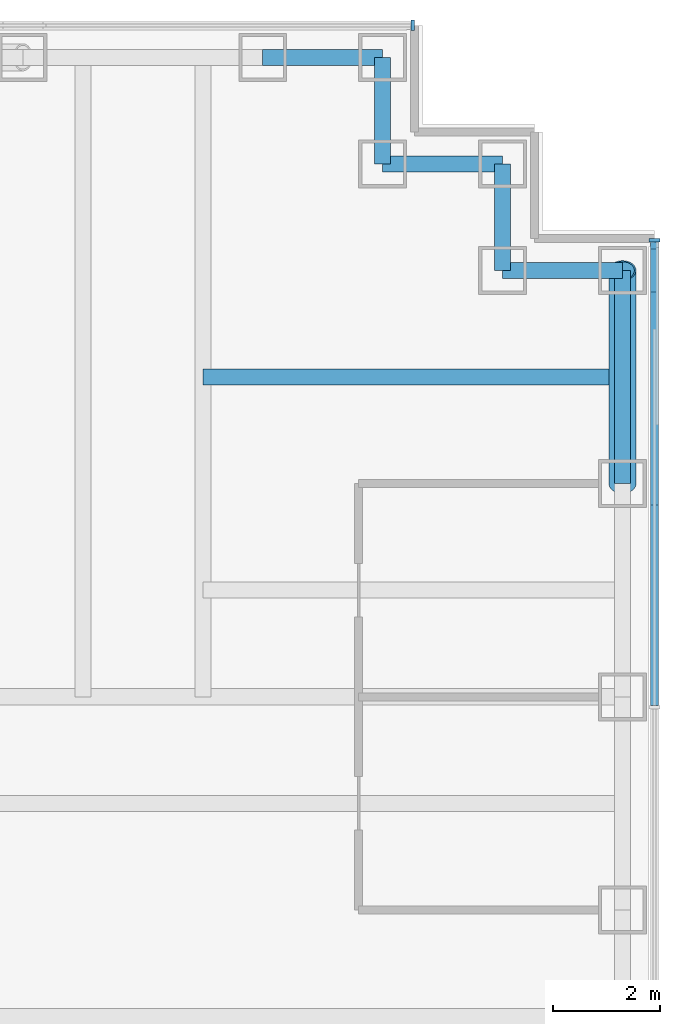
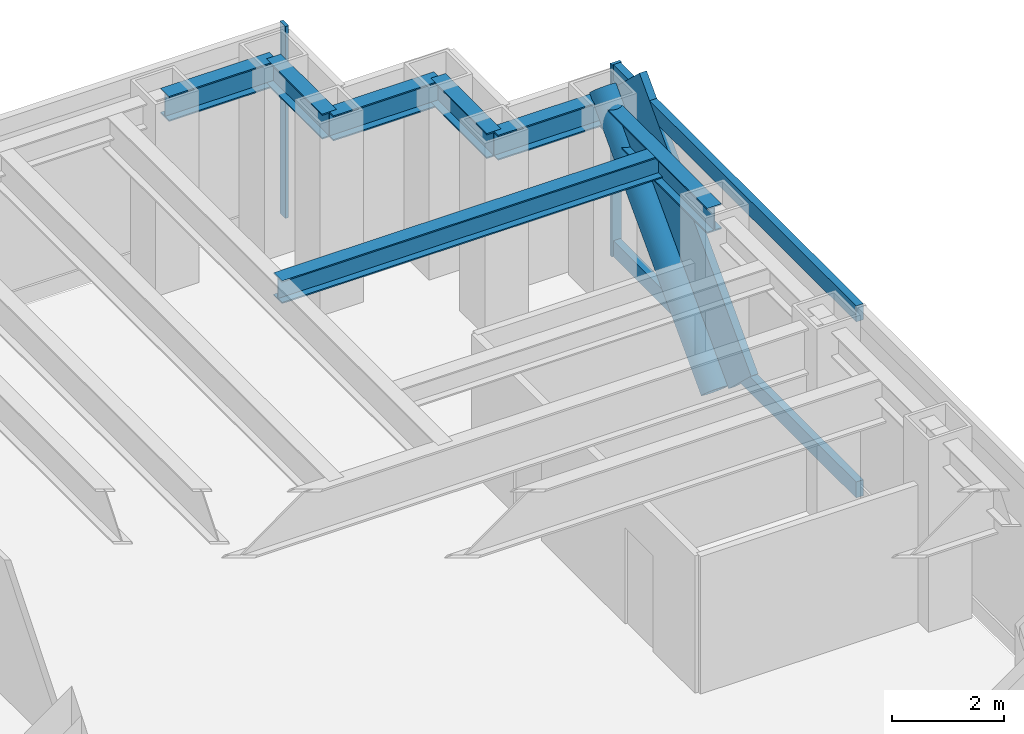
# One storey, part 9 of 15: 7 beams, 6 members, 2 elements without a shape of their own.
"""IFC4 building model written with IfcOpenShell, lengths in metres."""

from ifc_helpers import new_model, si_unit, direction, frame, origin, origin_2d, place, context, subcontext, project, spatial, rectangle, hollow_circle, i_section, extrude, material, material_profile, profile_set, type_object, element, aggregate, save


model = new_model("IFC4")

# Units and contexts
model_context = context("Model", 3, precision=1e-05, world=origin(), true_north=direction((0.0, 1.0)))
body_context = subcontext(model_context, "Body", "Model", "MODEL_VIEW")
ifc_project = project(units=[si_unit("LENGTHUNIT", "METRE"), si_unit("AREAUNIT", "SQUARE_METRE"), si_unit("VOLUMEUNIT", "CUBIC_METRE"), si_unit("PLANEANGLEUNIT", "RADIAN"), si_unit("MASSUNIT", "GRAM", prefix="KILO")], contexts=[model_context])

# Site, building, storey
site_placement = place(None, origin())
site = spatial("IfcSite", under=ifc_project, at=site_placement, CompositionType="ELEMENT")
building_placement = place(site_placement, origin())
building = spatial("IfcBuilding", under=site, at=building_placement, Name="Rheinbord Bourse Tower", CompositionType="ELEMENT")
storey_placement = place(building_placement, frame((0.0, 0.0, 292.10009765625)))
storey = spatial("IfcBuildingStorey", under=building, at=storey_placement, Name="L66", CompositionType="ELEMENT", Elevation=292.10009765625)

# Curtain wall, members
ifc_material_1 = material(Name="Dark glass and black aluminium", Category="aluminium")
curtain_wall_type = type_object("IfcCurtainWallType", Name="CW3 DARK GLASS CURTAIN WALL", PredefinedType="USERDEFINED", material=ifc_material_1)
curtain_wall_1_placement = place(storey_placement, origin())
curtain_wall_1 = element("IfcCurtainWall", 1, at=curtain_wall_1_placement, inside=storey, type_object=curtain_wall_type, Name="Curtain wall CW3 E L66", ObjectType="UNITISED CURTAIN WALL", PredefinedType="USERDEFINED")
ifc_material_2 = material(Name="Black anodised aluminium", Category="aluminium")
ifc_material_profile_1 = material_profile(ifc_material_2, rectangle(XDim=0.14990234375, YDim=1.10791015625, at=origin_2d()), Name="CW3 DIAGONAL MULLION 1108x150")
ifc_profile_set_1 = profile_set([ifc_material_profile_1], Name="Black anodised aluminium")
member_type_1 = type_object("IfcMemberType", Name="CW3 BLACK DIAGONAL MULLION", PredefinedType="USERDEFINED", material=ifc_profile_set_1)
member_1_placement = place(storey_placement, frame((70.35009765625, 36.0, 0.0), z_axis=(0.0, 0.689659376744, 0.724133926887), x_axis=(-1.0, 0.0, 0.0)))
member_1 = element("IfcMember", 2, at=member_1_placement, type_object=member_type_1, Name="CW3 diagonal mullion d", ObjectType="DIAGONAL MULLION", PredefinedType="USERDEFINED", context=body_context, shape_type="SweptSolid", body=[
    extrude(rectangle(XDim=0.14990234375, YDim=1.10791015625, at=origin_2d()), origin(), (0.0, 0.0, 1.0), 5.800048828125),
])
ifc_material_3 = material(Name="Black anodised aluminium", Category="aluminium")
ifc_material_profile_2 = material_profile(ifc_material_3, rectangle(XDim=0.199951171875, YDim=0.06494140625, at=origin_2d()), Name="CW3 MULLION 65x200")
ifc_profile_set_2 = profile_set([ifc_material_profile_2], Name="Black anodised aluminium")
member_type_2 = type_object("IfcMemberType", Name="CW3 BLACK MULLION", PredefinedType="MULLION", material=ifc_profile_set_2)
member_2_placement = place(storey_placement, frame((70.35009765625, 40.5673828125, 0.0), z_axis=(0.0, 0.0, 1.0), x_axis=(-1.0, 0.0, 0.0)))
member_2 = element("IfcMember", 3, at=member_2_placement, type_object=member_type_2, Name="CW3 mullion 5", PredefinedType="MULLION", context=body_context, shape_type="SweptSolid", body=[
    extrude(rectangle(XDim=0.199951171875, YDim=0.06494140625, at=origin_2d()), origin(), (0.0, 0.0, 1.0), 4.199951171875),
])

# Curtain wall, member
curtain_wall_2_placement = place(storey_placement, origin())
curtain_wall_2 = element("IfcCurtainWall", 4, at=curtain_wall_2_placement, inside=storey, type_object=curtain_wall_type, Name="Curtain wall CW3 N L66", ObjectType="UNITISED CURTAIN WALL", PredefinedType="USERDEFINED")
member_3_placement = place(storey_placement, frame((65.8173828125, 44.60009765625, 0.0), z_axis=(0.0, 0.0, 1.0), x_axis=(0.0, -1.0, 0.0)))
member_3 = element("IfcMember", 5, at=member_3_placement, type_object=member_type_2, Name="CW3 mullion 1", PredefinedType="MULLION", context=body_context, shape_type="SweptSolid", body=[
    extrude(rectangle(XDim=0.199951171875, YDim=0.06494140625, at=origin_2d()), origin(), (0.0, 0.0, 1.0), 4.199951171875),
])
aggregate(curtain_wall_2, [member_3])

# Member
ifc_material_4 = material(Name="Black anodised aluminium", Category="aluminium")
ifc_material_profile_3 = material_profile(ifc_material_4, rectangle(XDim=0.14990234375, YDim=0.35009765625, at=origin_2d()), Name="CW3 TRANSOM 350x150")
ifc_profile_set_3 = profile_set([ifc_material_profile_3], Name="Black anodised aluminium")
member_type_3 = type_object("IfcMemberType", Name="CW3 BLACK TRANSOM", PredefinedType="USERDEFINED", material=ifc_profile_set_3)
member_4_placement = place(storey_placement, frame((70.35009765625, 31.83251953125, 0.1748046875), z_axis=(0.0, 1.0, 0.0), x_axis=(-1.0, 0.0, 0.0)))
member_4 = element("IfcMember", 6, at=member_4_placement, type_object=member_type_3, Name="CW3 transom 4.1", ObjectType="TRANSOM", PredefinedType="USERDEFINED", context=body_context, shape_type="SweptSolid", body=[
    extrude(rectangle(XDim=0.14990234375, YDim=0.35009765625, at=origin_2d()), origin(), (0.0, 0.0, 1.0), 8.702392578125),
])

member_5_placement = place(storey_placement, frame((70.35009765625, 31.83251953125, 4.02490234375), z_axis=(0.0, 1.0, 0.0), x_axis=(-1.0, 0.0, 0.0)))
member_5 = element("IfcMember", 7, at=member_5_placement, type_object=member_type_3, Name="CW3 transom 4.2", ObjectType="TRANSOM", PredefinedType="USERDEFINED", context=body_context, shape_type="SweptSolid", body=[
    extrude(rectangle(XDim=0.14990234375, YDim=0.35009765625, at=origin_2d()), origin(), (0.0, 0.0, 1.0), 8.702392578125),
])

aggregate(curtain_wall_1, [member_2, member_4, member_5, member_1])

ifc_material_5 = material(Name="Steel S460", Category="steel")
ifc_material_profile_4 = material_profile(ifc_material_5, hollow_circle(Radius=0.25390625, WallThickness=0.030029296875, at=origin_2d()), Name="CHS 508x30")
ifc_profile_set_4 = profile_set([ifc_material_profile_4], Name="Steel S460")
member_type_4 = type_object("IfcMemberType", Name="MEGABRACE CHS 508x30", PredefinedType="BRACE", material=ifc_profile_set_4)
member_6_placement = place(storey_placement, frame((69.75, 36.0, 0.0), z_axis=(0.0, 0.689659376744, 0.724133926887), x_axis=(-1.0, 0.0, 0.0)))
element("IfcMember", 8, at=member_6_placement, inside=storey, type_object=member_type_4, Name="Megabrace E face line d L66", PredefinedType="BRACE", context=body_context, shape_type="SweptSolid", body=[
    extrude(hollow_circle(Radius=0.25390625, WallThickness=0.030029296875, at=origin_2d()), origin(), (0.0, 0.0, 1.0), 5.800048828125),
])

# Beams
ifc_material_6 = material(Name="Steel S460", Category="steel")
ifc_material_profile_5 = material_profile(ifc_material_6, i_section(OverallWidth=0.300048828125, OverallDepth=0.550048828125, WebThickness=0.014892578125, FlangeThickness=0.029052734375, at=origin_2d()), Name="HEB 550")
ifc_profile_set_5 = profile_set([ifc_material_profile_5], Name="Steel S460")
beam_type_1 = type_object("IfcBeamType", Name="SPANDREL HEB 550", PredefinedType="SPANDREL", material=ifc_profile_set_5)
beam_1_placement = place(storey_placement, frame((69.75, 36.0, 3.764892578125), z_axis=(0.0, 1.0, 0.0), x_axis=(-1.0, 0.0, 0.0)))
element("IfcBeam", 9, at=beam_1_placement, inside=storey, type_object=beam_type_1, Name="Spandrel E-36-NE-A under L67", PredefinedType="SPANDREL", context=body_context, shape_type="SweptSolid", body=[
    extrude(i_section(OverallWidth=0.300048828125, OverallDepth=0.550048828125, WebThickness=0.014892578125, FlangeThickness=0.029052734375, at=origin_2d()), origin(), (0.0, 0.0, 1.0), 4.0),
])
beam_2_placement = place(storey_placement, frame((69.75, 40.0, 3.764892578125), z_axis=(-1.0, 0.0, 0.0), x_axis=(0.0, -1.0, 0.0)))
element("IfcBeam", 10, at=beam_2_placement, inside=storey, type_object=beam_type_1, Name="Spandrel NE-A-NE-B under L67", PredefinedType="SPANDREL", context=body_context, shape_type="SweptSolid", body=[
    extrude(i_section(OverallWidth=0.300048828125, OverallDepth=0.550048828125, WebThickness=0.014892578125, FlangeThickness=0.029052734375, at=origin_2d()), origin(), (0.0, 0.0, 1.0), 2.25),
])
beam_3_placement = place(storey_placement, frame((67.5, 40.0, 3.764892578125), z_axis=(0.0, 1.0, 0.0), x_axis=(-1.0, 0.0, 0.0)))
element("IfcBeam", 11, at=beam_3_placement, inside=storey, type_object=beam_type_1, Name="Spandrel NE-B-NE-C under L67", PredefinedType="SPANDREL", context=body_context, shape_type="SweptSolid", body=[
    extrude(i_section(OverallWidth=0.300048828125, OverallDepth=0.550048828125, WebThickness=0.014892578125, FlangeThickness=0.029052734375, at=origin_2d()), origin(), (0.0, 0.0, 1.0), 2.0),
])
beam_4_placement = place(storey_placement, frame((67.5, 42.0, 3.764892578125), z_axis=(-1.0, 0.0, 0.0), x_axis=(0.0, -1.0, 0.0)))
element("IfcBeam", 12, at=beam_4_placement, inside=storey, type_object=beam_type_1, Name="Spandrel NE-C-NE-D under L67", PredefinedType="SPANDREL", context=body_context, shape_type="SweptSolid", body=[
    extrude(i_section(OverallWidth=0.300048828125, OverallDepth=0.550048828125, WebThickness=0.014892578125, FlangeThickness=0.029052734375, at=origin_2d()), origin(), (0.0, 0.0, 1.0), 2.25),
])
beam_5_placement = place(storey_placement, frame((65.25, 42.0, 3.764892578125), z_axis=(0.0, 1.0, 0.0), x_axis=(-1.0, 0.0, 0.0)))
element("IfcBeam", 13, at=beam_5_placement, inside=storey, type_object=beam_type_1, Name="Spandrel NE-D-NE-E under L67", PredefinedType="SPANDREL", context=body_context, shape_type="SweptSolid", body=[
    extrude(i_section(OverallWidth=0.300048828125, OverallDepth=0.550048828125, WebThickness=0.014892578125, FlangeThickness=0.029052734375, at=origin_2d()), origin(), (0.0, 0.0, 1.0), 2.0),
])
beam_6_placement = place(storey_placement, frame((65.25, 44.0, 3.764892578125), z_axis=(-1.0, 0.0, 0.0), x_axis=(0.0, -1.0, 0.0)))
element("IfcBeam", 14, at=beam_6_placement, inside=storey, type_object=beam_type_1, Name="Spandrel NE-E-N-63 under L67", PredefinedType="SPANDREL", context=body_context, shape_type="SweptSolid", body=[
    extrude(i_section(OverallWidth=0.300048828125, OverallDepth=0.550048828125, WebThickness=0.014892578125, FlangeThickness=0.029052734375, at=origin_2d()), origin(), (0.0, 0.0, 1.0), 2.25),
])
ifc_material_7 = material(Name="Steel S460", Category="steel")
ifc_material_profile_6 = material_profile(ifc_material_7, i_section(OverallWidth=0.300048828125, OverallDepth=0.5, WebThickness=0.014404296875, FlangeThickness=0.028076171875, at=origin_2d()), Name="HEB 500")
ifc_profile_set_6 = profile_set([ifc_material_profile_6], Name="Steel S460")
beam_type_2 = type_object("IfcBeamType", Name="TIE BEAM HEB 500", PredefinedType="JOIST", material=ifc_profile_set_6)
beam_7_placement = place(storey_placement, frame((61.875, 38.0, 3.789794921875), z_axis=(1.0, 0.0, 0.0), x_axis=(0.0, 1.0, 0.0)))
element("IfcBeam", 15, at=beam_7_placement, inside=storey, type_object=beam_type_2, Name="Tie east 38 L67", PredefinedType="JOIST", context=body_context, shape_type="SweptSolid", body=[
    extrude(i_section(OverallWidth=0.300048828125, OverallDepth=0.5, WebThickness=0.014404296875, FlangeThickness=0.028076171875, at=origin_2d()), origin(), (0.0, 0.0, 1.0), 7.875),
])

save(model, "model.ifc")
